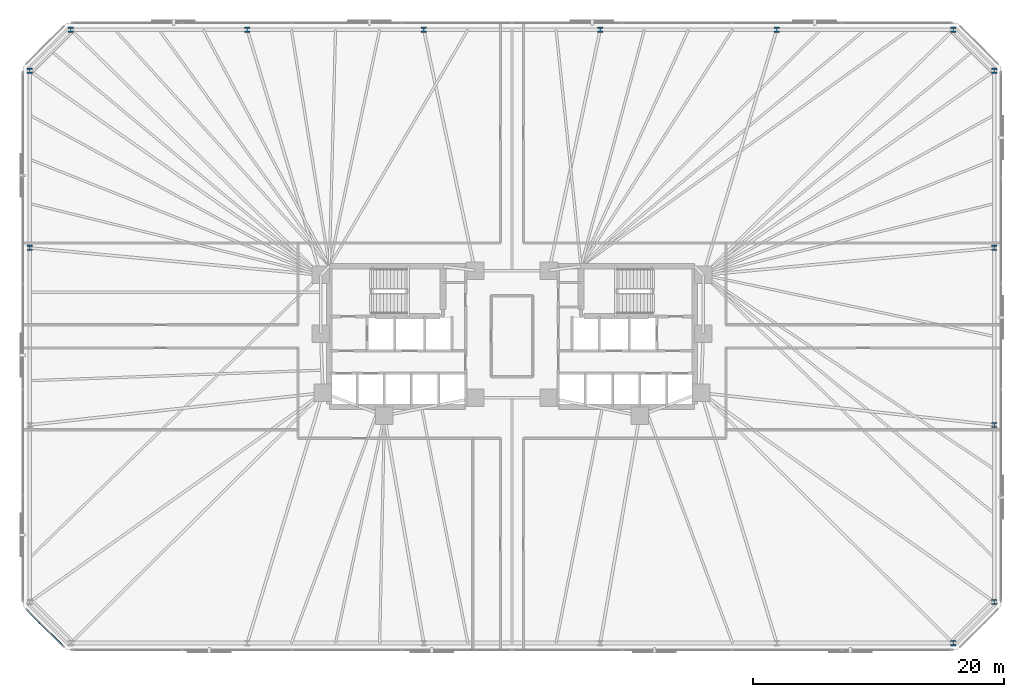
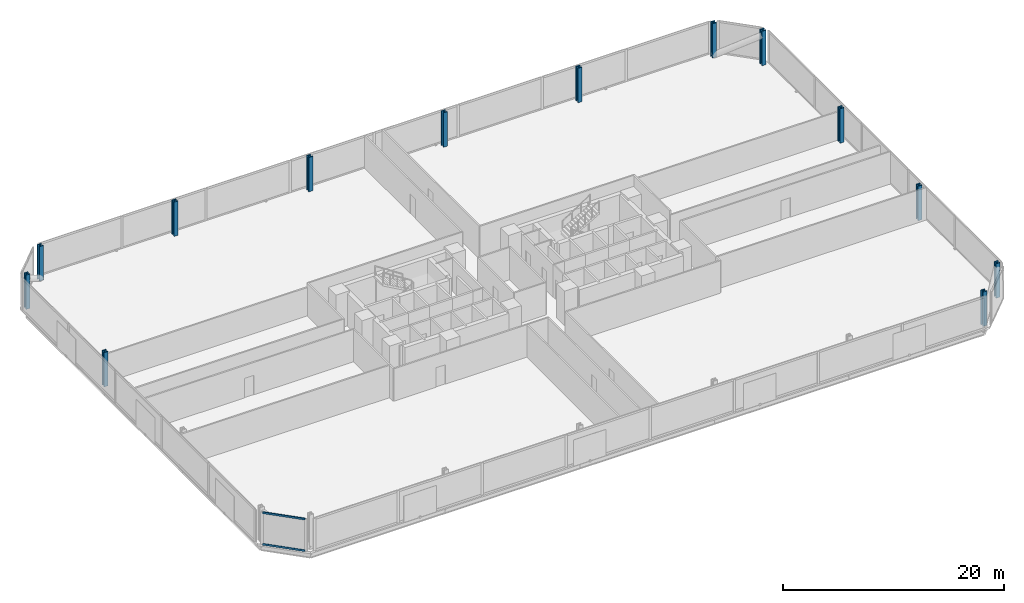
# One storey, part 5 of 16: 13 columns, 2 members, 1 element without a shape of its own.
"""IFC4 building model written with IfcOpenShell, lengths in metres."""

from ifc_helpers import new_model, si_unit, direction, frame, origin, origin_2d, place, context, subcontext, project, spatial, rectangle, i_section, extrude, material, material_profile, profile_set, type_object, element, aggregate, save


model = new_model("IFC4")

# Units and contexts
model_context = context("Model", 3, precision=1e-05, world=origin(), true_north=direction((0.0, 1.0)))
body_context = subcontext(model_context, "Body", "Model", "MODEL_VIEW")
ifc_project = project(units=[si_unit("LENGTHUNIT", "METRE"), si_unit("AREAUNIT", "SQUARE_METRE"), si_unit("VOLUMEUNIT", "CUBIC_METRE"), si_unit("PLANEANGLEUNIT", "RADIAN"), si_unit("MASSUNIT", "GRAM", prefix="KILO")], contexts=[model_context])

# Site, building, storey
site_placement = place(None, origin())
site = spatial("IfcSite", under=ifc_project, at=site_placement, CompositionType="ELEMENT")
building_placement = place(site_placement, origin())
building = spatial("IfcBuilding", under=site, at=building_placement, Name="Menara Jurai Vektor", CompositionType="ELEMENT")
storey_placement = place(building_placement, frame((0.0, 0.0, 40.800048828125)))
storey = spatial("IfcBuildingStorey", under=building, at=storey_placement, Name="L09", CompositionType="ELEMENT", Elevation=40.800048828125)

# Columns
ifc_material_1 = material(Name="Steel S460", Category="steel")
ifc_material_profile_1 = material_profile(ifc_material_1, i_section(OverallWidth=0.419921875, OverallDepth=0.430908203125, WebThickness=0.06494140625, FlangeThickness=0.10595703125, FilletRadius=0.014892578125, at=origin_2d()), Name="HD 400x900")
ifc_profile_set_1 = profile_set([ifc_material_profile_1], Name="Steel S460")
column_type = type_object("IfcColumnType", Name="STR-EXO-BLK1", PredefinedType="COLUMN", material=ifc_profile_set_1)
for number, where, z_axis, x_axis, name in (
    (1, (35.177734375, -24.449951171875, 0.0), (0.0, 0.0, 1.0), (1.0, 0.0, 0.0), "Exoskeleton Column BLK1-S6 L09"),
    (2, (38.449951171875, -21.177734375, 0.0), (0.0, 0.0, 1.0), (1.0, 0.0, 0.0), "Exoskeleton Column BLK1-E1 L09"),
    (3, (38.449951171875, -7.059326171875, 0.0), (0.0, 0.0, 1.0), (1.0, 0.0, 0.0), "Exoskeleton Column BLK1-E2 L09"),
    (4, (38.449951171875, 7.059326171875, 0.0), (0.0, 0.0, 1.0), (1.0, 0.0, 0.0), "Exoskeleton Column BLK1-E3 L09"),
    (5, (38.449951171875, 21.177734375, 0.0), (0.0, 0.0, 1.0), (1.0, 0.0, 0.0), "Exoskeleton Column BLK1-E4 L09"),
    (6, (35.177734375, 24.449951171875, 0.0), (0.0, 0.0, 1.0), (1.0, 0.0, 0.0), "Exoskeleton Column BLK1-N1 L09"),
    (7, (21.106689453125, 24.449951171875, 0.0), (0.0, 0.0, 1.0), (1.0, 0.0, 0.0), "Exoskeleton Column BLK1-N2 L09"),
    (8, (7.03564453125, 24.449951171875, 0.0), (0.0, 0.0, 1.0), (1.0, 0.0, 0.0), "Exoskeleton Column BLK1-N3 L09"),
    (9, (-7.03564453125, 24.449951171875, 0.0), (0.0, 0.0, 1.0), (1.0, 0.0, 0.0), "Exoskeleton Column BLK1-N4 L09"),
    (10, (-21.106689453125, 24.449951171875, 0.0), (0.0, 0.0, 1.0), (1.0, 0.0, 0.0), "Exoskeleton Column BLK1-N5 L09"),
    (11, (-35.177734375, 24.449951171875, 0.0), (0.0, 0.0, 1.0), (1.0, 0.0, 0.0), "Exoskeleton Column BLK1-N6 L09"),
    (12, (-38.449951171875, 21.177734375, 0.0), (0.0, 0.0, 1.0), (1.0, 0.0, 0.0), "Exoskeleton Column BLK1-W1 L09"),
    (13, (-38.449951171875, 7.059326171875, 0.0), (0.0, 0.0, 1.0), (1.0, 0.0, 0.0), "Exoskeleton Column BLK1-W2 L09"),
):
    element("IfcColumn", number, at=place(storey_placement, frame(where, z_axis=z_axis, x_axis=x_axis)), inside=storey, type_object=column_type, Name=name, PredefinedType="COLUMN", context=body_context, shape_type="SweptSolid", body=[
        extrude(i_section(OverallWidth=0.419921875, OverallDepth=0.430908203125, WebThickness=0.06494140625, FlangeThickness=0.10595703125, FilletRadius=0.014892578125, at=origin_2d()), origin(), (0.0, 0.0, 1.0), 3.800048828125),
    ])

# Curtain wall, members
ifc_material_2 = material(Name="Anodised Pale Aluminium & Low-E Double Glazing", Category="aluminium")
curtain_wall_type = type_object("IfcCurtainWallType", Name="CW-BLK1", PredefinedType="NOTDEFINED", material=ifc_material_2)
curtain_wall_placement = place(storey_placement, origin())
curtain_wall = element("IfcCurtainWall", 14, at=curtain_wall_placement, inside=storey, type_object=curtain_wall_type, Name="Unitised Curtain Wall L09 F08", PredefinedType="NOTDEFINED")
ifc_material_3 = material(Name="Anodised Pale Aluminium Transom", Category="aluminium")
ifc_material_profile_2 = material_profile(ifc_material_3, rectangle(XDim=0.094970703125, YDim=0.199951171875, at=origin_2d()), Name="ALU TRN 95x200")
ifc_profile_set_2 = profile_set([ifc_material_profile_2], Name="Anodised Pale Aluminium Transom")
member_type = type_object("IfcMemberType", Name="CW-BLK1-TRN", PredefinedType="USERDEFINED", material=ifc_profile_set_2)
member_1_placement = place(storey_placement, frame((-38.6640625, -21.8359375, 0.04736328125), z_axis=(0.707106781187, -0.707106781187, 0.0), x_axis=(0.707106781187, 0.707106781187, 0.0)))
member_1 = element("IfcMember", 15, at=member_1_placement, type_object=member_type, Name="CW-01 transom 1.1", ObjectType="TRANSOM", PredefinedType="USERDEFINED", context=body_context, shape_type="SweptSolid", body=[
    extrude(rectangle(XDim=0.094970703125, YDim=0.199951171875, at=origin_2d()), origin(), (0.0, 0.0, 1.0), 3.99951171875),
])
member_2_placement = place(storey_placement, frame((-38.6640625, -21.8359375, 3.52734375), z_axis=(0.707106781187, -0.707106781187, 0.0), x_axis=(0.707106781187, 0.707106781187, 0.0)))
member_2 = element("IfcMember", 16, at=member_2_placement, type_object=member_type, Name="CW-01 transom 1.2", ObjectType="TRANSOM", PredefinedType="USERDEFINED", context=body_context, shape_type="SweptSolid", body=[
    extrude(rectangle(XDim=0.094970703125, YDim=0.199951171875, at=origin_2d()), origin(), (0.0, 0.0, 1.0), 3.99951171875),
])
aggregate(curtain_wall, [member_1, member_2])

save(model, "model.ifc")
